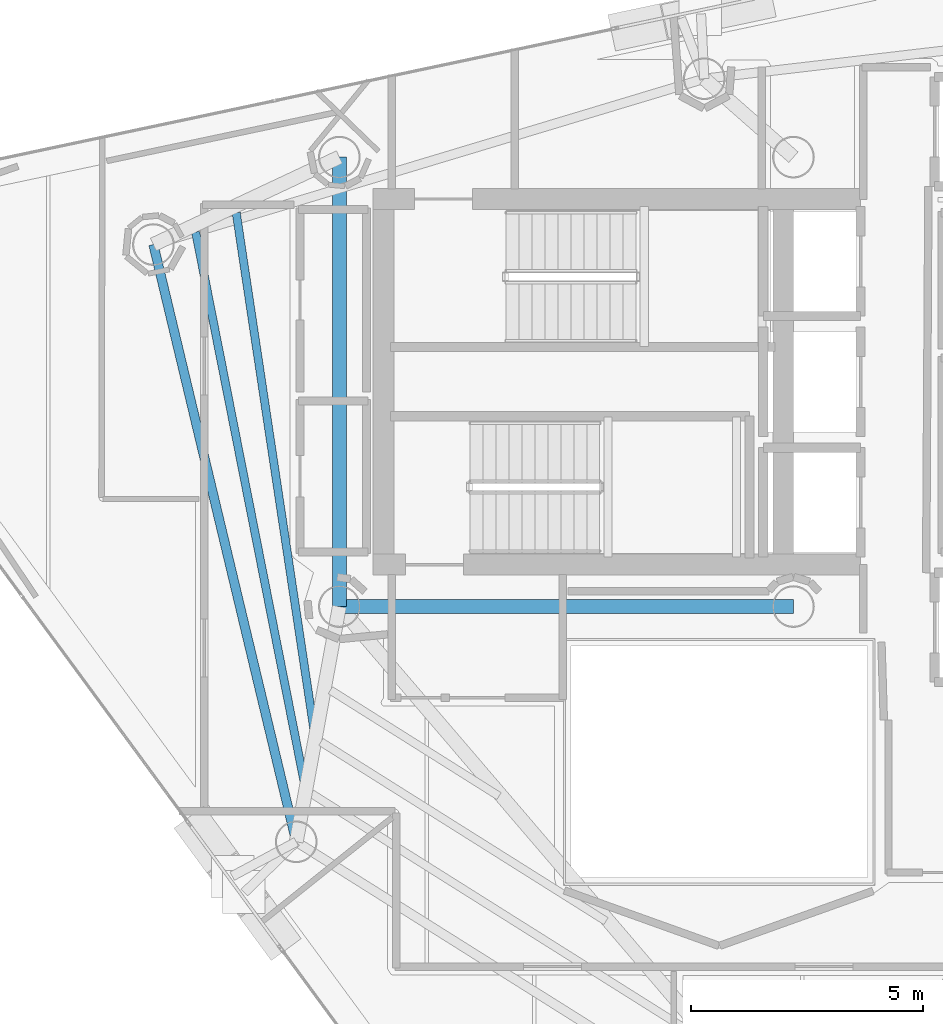
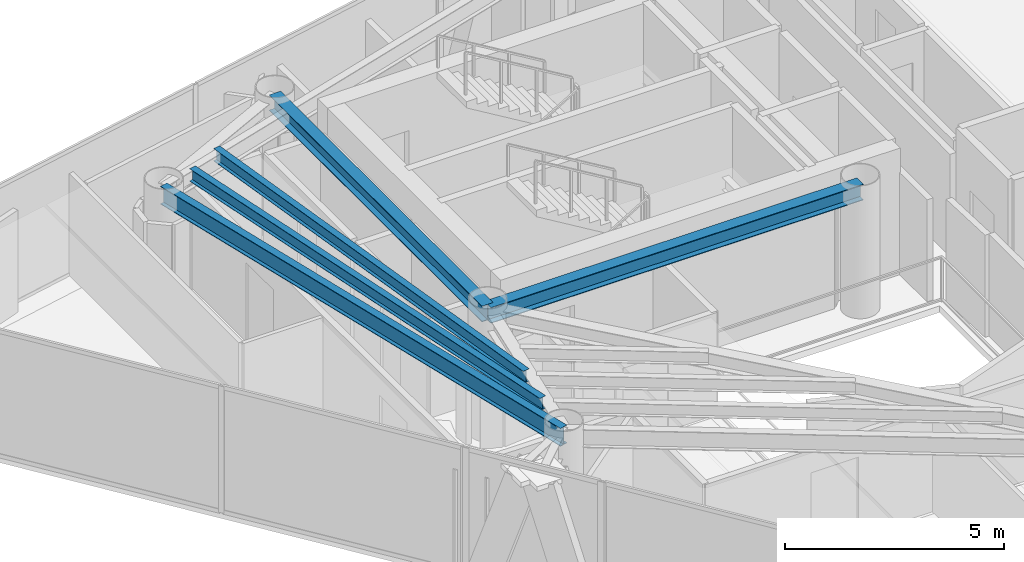
# One storey, part 7 of 21: 5 beams.
"""IFC4 building model written with IfcOpenShell, lengths in metres."""

from ifc_helpers import new_model, si_unit, direction, frame, origin, origin_2d, place, context, subcontext, project, spatial, i_section, extrude, material, material_profile, profile_set, type_object, element, save


model = new_model("IFC4")

# Units and contexts
model_context = context("Model", 3, precision=1e-05, world=origin(), true_north=direction((0.0, 1.0)))
body_context = subcontext(model_context, "Body", "Model", "MODEL_VIEW")
ifc_project = project(units=[si_unit("LENGTHUNIT", "METRE"), si_unit("AREAUNIT", "SQUARE_METRE"), si_unit("VOLUMEUNIT", "CUBIC_METRE"), si_unit("PLANEANGLEUNIT", "RADIAN"), si_unit("MASSUNIT", "GRAM", prefix="KILO")], contexts=[model_context])

# Site, building, storey
site_placement = place(None, origin())
site = spatial("IfcSite", under=ifc_project, at=site_placement, CompositionType="ELEMENT")
building_placement = place(site_placement, origin())
building = spatial("IfcBuilding", under=site, at=building_placement, Name="Qianvela Tower", CompositionType="ELEMENT")
storey_placement = place(building_placement, frame((0.0, 0.0, 302.800048828125)))
storey = spatial("IfcBuildingStorey", under=building, at=storey_placement, Name="L78", CompositionType="ELEMENT", Elevation=302.800048828125)

# Beams
ifc_material_1 = material(Name="Steel Q355B", Category="steel")
ifc_material_profile_1 = material_profile(ifc_material_1, i_section(OverallWidth=0.300048828125, OverallDepth=0.43994140625, WebThickness=0.010986328125, FlangeThickness=0.01806640625, at=origin_2d()), Name="HM440x300x11x18")
ifc_profile_set_1 = profile_set([ifc_material_profile_1], Name="Steel Q355B")
beam_type_1 = type_object("IfcBeamType", Name="BM-HM440-COLL", PredefinedType="BEAM", material=ifc_profile_set_1)
beam_1_placement = place(storey_placement, frame((28.60009765625, 23.85009765625, 3.2978515625), z_axis=(1.0, 0.0, 0.0), x_axis=(0.0, 1.0, 0.0)))
element("IfcBeam", 1, at=beam_1_placement, inside=storey, type_object=beam_type_1, Name="L78 Core Ring Collector Girder CC1", PredefinedType="BEAM", context=body_context, shape_type="SweptSolid", body=[
    extrude(i_section(OverallWidth=0.300048828125, OverallDepth=0.43994140625, WebThickness=0.010986328125, FlangeThickness=0.01806640625, at=origin_2d()), origin(), (0.0, 0.0, 1.0), 9.7998046875),
])
beam_2_placement = place(storey_placement, frame((28.60009765625, 33.550048828125, 3.2978515625), z_axis=(0.0, -1.0, 0.0), x_axis=(1.0, 0.0, 0.0)))
element("IfcBeam", 2, at=beam_2_placement, inside=storey, type_object=beam_type_1, Name="L78 Core Ring Collector Girder CC2", PredefinedType="BEAM", context=body_context, shape_type="SweptSolid", body=[
    extrude(i_section(OverallWidth=0.300048828125, OverallDepth=0.43994140625, WebThickness=0.010986328125, FlangeThickness=0.01806640625, at=origin_2d()), origin(), (0.0, 0.0, 1.0), 9.699951171875),
])
ifc_material_2 = material(Name="Steel Q355B", Category="steel")
ifc_material_profile_2 = material_profile(ifc_material_2, i_section(OverallWidth=0.175048828125, OverallDepth=0.35009765625, WebThickness=0.007080078125, FlangeThickness=0.010986328125, at=origin_2d()), Name="HN350x175x7x11")
ifc_profile_set_2 = profile_set([ifc_material_profile_2], Name="Steel Q355B")
beam_type_2 = type_object("IfcBeamType", Name="BM-HN350-JOIST", PredefinedType="JOIST", material=ifc_profile_set_2)
beam_3_placement = place(storey_placement, frame((26.37451171875, 32.348876953125, 3.343017578125), z_axis=(0.148647266964, -0.988890282096, 0.0), x_axis=(0.988890282096, 0.148647266964, 0.0)))
element("IfcBeam", 3, at=beam_3_placement, inside=storey, type_object=beam_type_2, Name="L78 Secondary Composite Floor Joist 3.2", PredefinedType="JOIST", context=body_context, shape_type="SweptSolid", body=[
    extrude(i_section(OverallWidth=0.175048828125, OverallDepth=0.35009765625, WebThickness=0.007080078125, FlangeThickness=0.010986328125, at=origin_2d()), origin(), (0.0, 0.0, 1.0), 11.32275390625),
])
beam_4_placement = place(storey_placement, frame((25.498046875, 31.934814453125, 3.343017578125), z_axis=(0.193576445355, -0.981085194977, 0.0), x_axis=(0.981085194977, 0.193576445355, 0.0)))
element("IfcBeam", 4, at=beam_4_placement, inside=storey, type_object=beam_type_2, Name="L78 Secondary Composite Floor Joist 3.3", PredefinedType="JOIST", context=body_context, shape_type="SweptSolid", body=[
    extrude(i_section(OverallWidth=0.175048828125, OverallDepth=0.35009765625, WebThickness=0.007080078125, FlangeThickness=0.010986328125, at=origin_2d()), origin(), (0.0, 0.0, 1.0), 12.13037109375),
])
ifc_material_3 = material(Name="Steel Q355B", Category="steel")
ifc_material_profile_3 = material_profile(ifc_material_3, i_section(OverallWidth=0.199951171875, OverallDepth=0.5, WebThickness=0.010009765625, FlangeThickness=0.01611328125, at=origin_2d()), Name="HN500x200x10x16")
ifc_profile_set_3 = profile_set([ifc_material_profile_3], Name="Steel Q355B")
beam_type_3 = type_object("IfcBeamType", Name="BM-HN500-GIRD", PredefinedType="BEAM", material=ifc_profile_set_3)
beam_5_placement = place(storey_placement, frame((24.5869140625, 31.6630859375, 3.26806640625), z_axis=(0.232631550142, -0.972564939672, 0.0), x_axis=(0.972564939672, 0.232631550142, 0.0)))
element("IfcBeam", 5, at=beam_5_placement, inside=storey, type_object=beam_type_3, Name="L78 Perimeter Ring Spandrel Girder 3", PredefinedType="BEAM", context=body_context, shape_type="SweptSolid", body=[
    extrude(i_section(OverallWidth=0.199951171875, OverallDepth=0.5, WebThickness=0.010009765625, FlangeThickness=0.01611328125, at=origin_2d()), origin(), (0.0, 0.0, 1.0), 13.252685546875),
])

save(model, "model.ifc")
